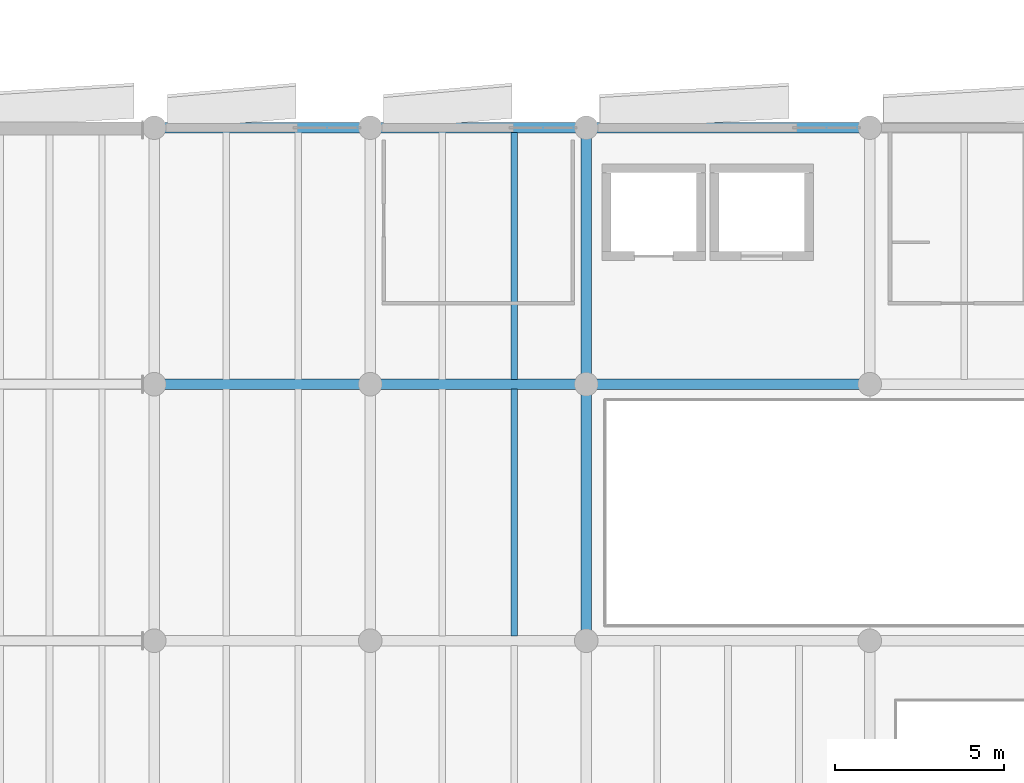
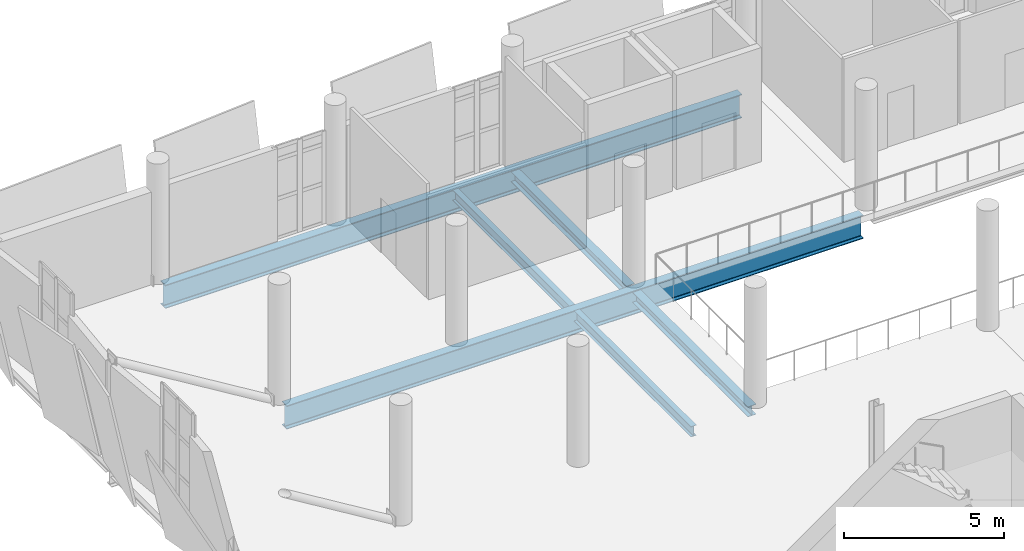
# One storey, part 38 of 136: 6 beams.
"""IFC4 building model written with IfcOpenShell, lengths in metres."""

import ifcopenshell
import ifcopenshell.guid

model = None  # the IFC model being written
_history = None  # IfcOwnerHistory: only IFC2X3 demands one
_inside = {}  # id of a spatial element -> (the spatial element, [elements in it])
_under = {}  # id of a project, library or spatial element -> (it, [spatial elements below it])
_declared = {}  # id of a project -> (the project, [libraries it declares])
_typed = {}  # id of a type object -> (the type object, [elements of that type])
_made_of = {}  # id of a material, layer set ... -> (it, [elements and type objects made of it])


def new_model(schema):
    """Start an empty IFC model of exactly this schema.

    Asked for "IFC4X3", IfcOpenShell would pick the latest addendum, in which some entities
    have other attributes; the version numbers below select the first issue.
    IFC2X3 requires an IfcOwnerHistory on every rooted entity: one is made here for all.
    """
    global model, _history
    if schema == "IFC4X3":
        model = ifcopenshell.file(schema_version=(4, 3, 0, 0))
    else:
        model = ifcopenshell.file(schema=schema)
    _inside.clear()
    _under.clear()
    _declared.clear()
    _typed.clear()
    _made_of.clear()
    _history = None
    if model.schema == "IFC2X3":
        org = make("IfcOrganization", Name="unknown")
        user = make(
            "IfcPersonAndOrganization",
            ThePerson=make("IfcPerson", FamilyName="unknown"),
            TheOrganization=org,
        )
        app = make(
            "IfcApplication",
            ApplicationDeveloper=org,
            Version="unknown",
            ApplicationFullName="unknown",
            ApplicationIdentifier="unknown",
        )
        _history = make(
            "IfcOwnerHistory",
            OwningUser=user,
            OwningApplication=app,
            ChangeAction="ADDED",
            CreationDate=0,
        )
    return model


def make(cls, **values):
    """One entity of the class cls with the attributes given. An attribute that is None is left unset."""
    return model.create_entity(
        cls, **{name: value for name, value in values.items() if value is not None}
    )


def rooted(cls, **values):
    """An entity with a GlobalId (a new one), such as an element, a storey or a relation."""
    return make(cls, GlobalId=ifcopenshell.guid.new(), OwnerHistory=_history, **values)


def si_unit(unit_type, name, prefix=None):
    """IfcSIUnit, for example si_unit("LENGTHUNIT", "METRE", prefix="MILLI")."""
    return make("IfcSIUnit", UnitType=unit_type, Prefix=prefix, Name=name)


def assignment(units):
    """IfcUnitAssignment: the units of a project."""
    return None if units is None else make("IfcUnitAssignment", Units=units)


def point(xyz):
    """IfcCartesianPoint."""
    return None if xyz is None else make("IfcCartesianPoint", Coordinates=xyz)


def direction(xyz):
    """IfcDirection."""
    return None if xyz is None else make("IfcDirection", DirectionRatios=xyz)


def frame(location, z_axis=None, x_axis=None):
    """IfcAxis2Placement3D, a coordinate frame: its origin and axes. An axis left out is left unset."""
    return make(
        "IfcAxis2Placement3D",
        Location=point(location),
        Axis=direction(z_axis),
        RefDirection=direction(x_axis),
    )


def frame_2d(location, x_axis=None):
    """IfcAxis2Placement2D, a coordinate frame in the plane: its origin and x axis."""
    return make(
        "IfcAxis2Placement2D", Location=point(location), RefDirection=direction(x_axis)
    )


def origin():
    """The frame at (0, 0, 0) with its axes left unset."""
    return frame((0.0, 0.0, 0.0))


def origin_2d():
    """The frame at (0, 0) in the plane with its x axis left unset."""
    return frame_2d((0.0, 0.0))


def place(relative_to, where):
    """IfcLocalPlacement: puts the frame where relative to a parent placement (None: the world)."""
    return make(
        "IfcLocalPlacement", PlacementRelTo=relative_to, RelativePlacement=where
    )


def context(
    kind, dimensions, precision=None, world=None, true_north=None, identifier=None
):
    """IfcGeometricRepresentationContext, for example the 3D "Model" context."""
    return make(
        "IfcGeometricRepresentationContext",
        ContextIdentifier=identifier,
        ContextType=kind,
        CoordinateSpaceDimension=dimensions,
        Precision=precision,
        WorldCoordinateSystem=world,
        TrueNorth=true_north,
    )


def subcontext(parent, identifier, kind, view, scale=None):
    """IfcGeometricRepresentationSubContext, for example "Body" below "Model"."""
    return make(
        "IfcGeometricRepresentationSubContext",
        ContextIdentifier=identifier,
        ContextType=kind,
        ParentContext=parent,
        TargetScale=scale,
        TargetView=view,
    )


def project(units=None, contexts=None):
    """IfcProject with its units and contexts."""
    return rooted(
        "IfcProject",
        Name="project",
        RepresentationContexts=contexts,
        UnitsInContext=assignment(units),
    )


def spatial(cls, under=None, at=None, **own):
    """A site, building, storey or space (cls), placed at a placement, below another one or the project."""
    s = rooted(cls, ObjectPlacement=at, **own)
    if under is not None:
        _under.setdefault(under.id(), (under, []))[1].append(s)
    return s


def profile(cls, at=None, kind="AREA", **sizes):
    """A parametric profile (cls). Its sizes go by their IFC names, for example OverallWidth=200.0."""
    return make(cls, ProfileType=kind, Position=at, **sizes)


def i_section(**sizes):
    """IfcIShapeProfileDef."""
    return profile("IfcIShapeProfileDef", **sizes)


def extrude(swept, where, along, depth):
    """IfcExtrudedAreaSolid: the profile swept, set in the frame where, extruded along a direction by depth."""
    return make(
        "IfcExtrudedAreaSolid",
        SweptArea=swept,
        Position=where,
        ExtrudedDirection=direction(along),
        Depth=depth,
    )


def shape(context_of_items, identifier, shape_type, items):
    """IfcShapeRepresentation: the items that make up one representation, for example the "Body"."""
    return make(
        "IfcShapeRepresentation",
        ContextOfItems=context_of_items,
        RepresentationIdentifier=identifier,
        RepresentationType=shape_type,
        Items=items,
    )


def material(Name=None, Category=None):
    """IfcMaterial."""
    return make("IfcMaterial", Name=Name, Category=Category)


def material_profile(
    of_material, cross_section, Name=None, Category=None, Priority=None
):
    """IfcMaterialProfile: a cross section and its material."""
    return make(
        "IfcMaterialProfile",
        Name=Name,
        Material=of_material,
        Profile=cross_section,
        Priority=Priority,
        Category=Category,
    )


def profile_set(profiles, Name=None, composite=None):
    """IfcMaterialProfileSet."""
    return make(
        "IfcMaterialProfileSet",
        Name=Name,
        MaterialProfiles=profiles,
        CompositeProfile=composite,
    )


def made_of(thing, what):
    """Note that an element or type object is made of a material, layer set ...; save() writes the relation."""
    if what is not None:
        _made_of.setdefault(what.id(), (what, []))[1].append(thing)
    return thing


def type_object(cls, material=None, **own):
    """A type object (cls), such as IfcWallType, which elements share."""
    return made_of(rooted(cls, **own), material)


def element(
    cls,
    number,
    at=None,
    inside=None,
    cuts=None,
    type_object=None,
    material=None,
    context=None,
    identifier="Body",
    shape_type=None,
    held_by="IfcProductDefinitionShape",
    body=None,
    shapes=None,
    **own,
):
    """One element of the class cls, such as IfcWall. Its Tag is "e" and its number.

    at: its placement. inside: the storey or other place that contains it. cuts: it is an
    opening in that element (IfcRelVoidsElement). A single representation is given by context,
    identifier, shape_type and body (its items); several are given by shapes. held_by: the class
    of the entity that holds the representations. save() writes the other relations.
    """
    e = rooted(cls, Tag="e%d" % number, ObjectPlacement=at, **own)
    if body is not None:
        shapes = [shape(context, identifier, shape_type, body)]
    if shapes is not None:
        e.Representation = make(held_by, Representations=shapes)
    if inside is not None:
        _inside.setdefault(inside.id(), (inside, []))[1].append(e)
    if cuts is not None:
        rooted(
            "IfcRelVoidsElement", RelatingBuildingElement=cuts, RelatedOpeningElement=e
        )
    if type_object is not None:
        _typed.setdefault(type_object.id(), (type_object, []))[1].append(e)
    return made_of(e, material)


def aggregate(whole, parts):
    """IfcRelAggregates: a whole, such as a stair, and the parts it consists of."""
    return rooted("IfcRelAggregates", RelatingObject=whole, RelatedObjects=parts)


def save(model, path):
    """Write the relations noted so far, then the file.

    IfcRelAggregates (storeys below a building ...), IfcRelContainedInSpatialStructure (elements
    in a storey), IfcRelDefinesByType, IfcRelAssociatesMaterial and IfcRelDeclares: one each for
    every whole, place, type object, material and project.
    """
    for whole, parts in _under.values():
        aggregate(whole, parts)
    for where, things in _inside.values():
        rooted(
            "IfcRelContainedInSpatialStructure",
            RelatedElements=things,
            RelatingStructure=where,
        )
    for kind, things in _typed.values():
        rooted("IfcRelDefinesByType", RelatedObjects=things, RelatingType=kind)
    for what, things in _made_of.values():
        rooted("IfcRelAssociatesMaterial", RelatedObjects=things, RelatingMaterial=what)
    for by, libraries in _declared.values():
        rooted("IfcRelDeclares", RelatingContext=by, RelatedDefinitions=libraries)
    model.write(path)


model = new_model("IFC4")

# Units and contexts
model_context = context("Model", 3, precision=1e-05, world=origin(), true_north=direction((0.0, 1.0)))
body_context = subcontext(model_context, "Body", "Model", "MODEL_VIEW")
ifc_project = project(units=[si_unit("LENGTHUNIT", "METRE"), si_unit("AREAUNIT", "SQUARE_METRE"), si_unit("VOLUMEUNIT", "CUBIC_METRE"), si_unit("PLANEANGLEUNIT", "RADIAN"), si_unit("MASSUNIT", "GRAM", prefix="KILO")], contexts=[model_context])

# Site, building, storey
site_placement = place(None, origin())
site = spatial("IfcSite", under=ifc_project, at=site_placement, CompositionType="ELEMENT")
building_placement = place(site_placement, origin())
building = spatial("IfcBuilding", under=site, at=building_placement, Name="Shengluoqiao Park Theatre", CompositionType="ELEMENT")
storey_placement = place(building_placement, frame((0.0, 0.0, 10.0)))
storey = spatial("IfcBuildingStorey", under=building, at=storey_placement, Name="L02", CompositionType="ELEMENT", Elevation=10.0)

# Beams
ifc_material_1 = material(Name="Steel Q355", Category="steel")
ifc_material_profile_1 = material_profile(ifc_material_1, i_section(OverallWidth=0.300048828125, OverallDepth=0.389892578125, WebThickness=0.010009765625, FlangeThickness=0.01611328125, FilletRadius=0.01806640625, at=origin_2d()), Name="HM 390x300x10x16")
ifc_profile_set_1 = profile_set([ifc_material_profile_1], Name="Steel Q355")
beam_type_1 = type_object("IfcBeamType", Name="STR-BM-G-HM390", PredefinedType="BEAM", material=ifc_profile_set_1)
beam_1_placement = place(storey_placement, frame((19.199951171875, 60.993896484375, -0.43505859375), z_axis=(0.0, 1.0, 0.0), x_axis=(-1.0, 0.0, 0.0)))
element("IfcBeam", 1, at=beam_1_placement, inside=storey, type_object=beam_type_1, Name="L02 Transverse Girder 00952", PredefinedType="BEAM", context=body_context, shape_type="SweptSolid", body=[
    extrude(i_section(OverallWidth=0.300048828125, OverallDepth=0.389892578125, WebThickness=0.010009765625, FlangeThickness=0.01611328125, FilletRadius=0.01806640625, at=origin_2d()), origin(), (0.0, 0.0, 1.0), 7.212158203125),
])
beam_2_placement = place(storey_placement, frame((19.199951171875, 68.593994140625, -0.43505859375), z_axis=(0.0, 1.0, 0.0), x_axis=(-1.0, 0.0, 0.0)))
element("IfcBeam", 2, at=beam_2_placement, inside=storey, type_object=beam_type_1, Name="L02 Transverse Girder 00953", PredefinedType="BEAM", context=body_context, shape_type="SweptSolid", body=[
    extrude(i_section(OverallWidth=0.300048828125, OverallDepth=0.389892578125, WebThickness=0.010009765625, FlangeThickness=0.01611328125, FilletRadius=0.01806640625, at=origin_2d()), origin(), (0.0, 0.0, 1.0), 7.2119140625),
])
ifc_material_2 = material(Name="Steel Q390", Category="steel")
ifc_material_profile_2 = material_profile(ifc_material_2, i_section(OverallWidth=0.300048828125, OverallDepth=0.89990234375, WebThickness=0.01611328125, FlangeThickness=0.028076171875, FilletRadius=0.028076171875, at=origin_2d()), Name="HN 900x300x16x28")
ifc_profile_set_2 = profile_set([ifc_material_profile_2], Name="Steel Q390")
beam_type_2 = type_object("IfcBeamType", Name="STR-BM-G-HN900", PredefinedType="BEAM", material=ifc_profile_set_2)
for number, where, z_axis, x_axis, name in (
    (3, (6.587890625, 68.39990234375, -0.68994140625), (1.0, 0.0, 0.0), (0.0, 1.0, 0.0), "CT-V5-2 L02 Continuous Back-Span Chord"),
    (4, (6.587890625, 76.0, -0.68994140625), (1.0, 0.0, 0.0), (0.0, 1.0, 0.0), "CT-V5-3 L02 Continuous Back-Span Chord"),
):
    element("IfcBeam", number, at=place(storey_placement, frame(where, z_axis=z_axis, x_axis=x_axis)), inside=storey, type_object=beam_type_2, Name=name, PredefinedType="BEAM", context=body_context, shape_type="SweptSolid", body=[
        extrude(i_section(OverallWidth=0.300048828125, OverallDepth=0.89990234375, WebThickness=0.01611328125, FlangeThickness=0.028076171875, FilletRadius=0.028076171875, at=origin_2d()), origin(), (0.0, 0.0, 1.0), 20.82421875),
    ])
ifc_material_profile_3 = material_profile(ifc_material_1, i_section(OverallWidth=0.199951171875, OverallDepth=0.39990234375, WebThickness=0.008056640625, FlangeThickness=0.012939453125, FilletRadius=0.01611328125, at=origin_2d()), Name="HN 400x200x8x13")
ifc_profile_set_3 = profile_set([ifc_material_profile_3], Name="Steel Q355")
beam_type_3 = type_object("IfcBeamType", Name="STR-BM-J-HN400", PredefinedType="JOIST", material=ifc_profile_set_3)
beam_3_placement = place(storey_placement, frame((17.066650390625, 60.945068359375, -0.43994140625), z_axis=(0.0, 1.0, 0.0), x_axis=(-1.0, 0.0, 0.0)))
element("IfcBeam", 5, at=beam_3_placement, inside=storey, type_object=beam_type_3, Name="L02 Composite Joist 00965", PredefinedType="JOIST", context=body_context, shape_type="SweptSolid", body=[
    extrude(i_section(OverallWidth=0.199951171875, OverallDepth=0.39990234375, WebThickness=0.008056640625, FlangeThickness=0.012939453125, FilletRadius=0.01611328125, at=origin_2d()), origin(), (0.0, 0.0, 1.0), 7.309814453125),
])
beam_4_placement = place(storey_placement, frame((17.066650390625, 68.544921875, -0.43994140625), z_axis=(0.0, 1.0, 0.0), x_axis=(-1.0, 0.0, 0.0)))
element("IfcBeam", 6, at=beam_4_placement, inside=storey, type_object=beam_type_3, Name="L02 Composite Joist 00967", PredefinedType="JOIST", context=body_context, shape_type="SweptSolid", body=[
    extrude(i_section(OverallWidth=0.199951171875, OverallDepth=0.39990234375, WebThickness=0.008056640625, FlangeThickness=0.012939453125, FilletRadius=0.01611328125, at=origin_2d()), origin(), (0.0, 0.0, 1.0), 7.31005859375),
])

save(model, "model.ifc")
